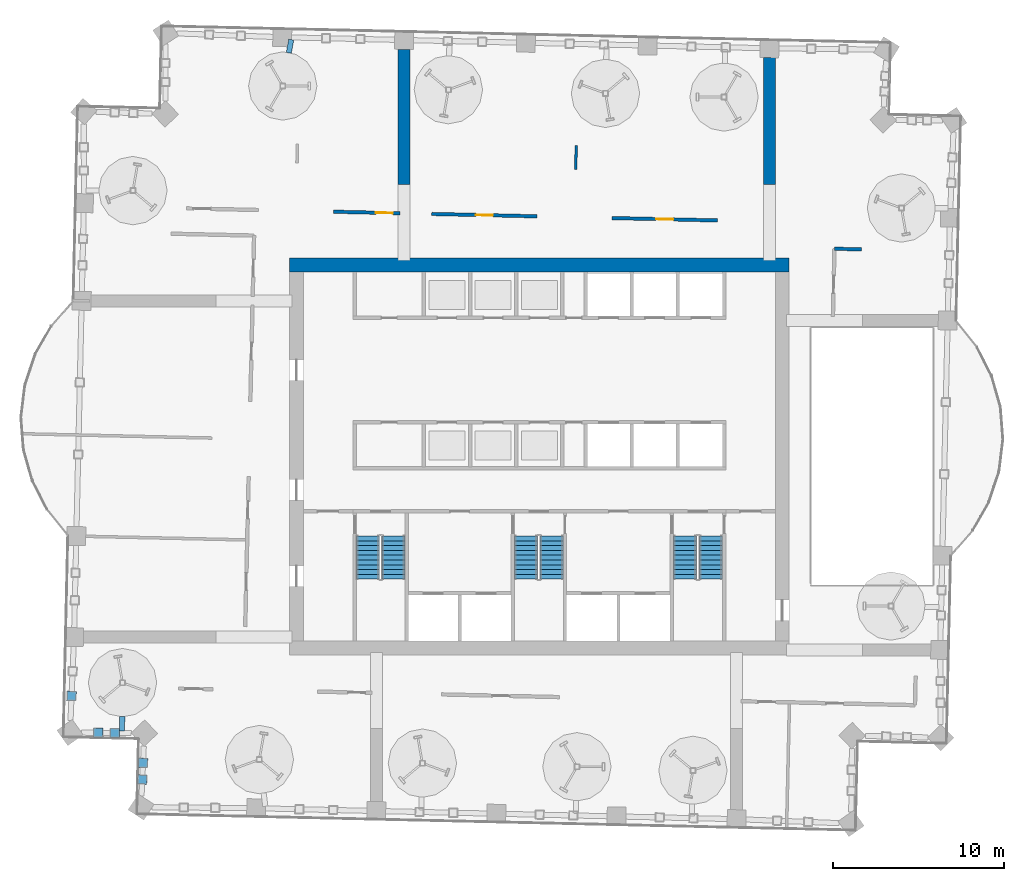
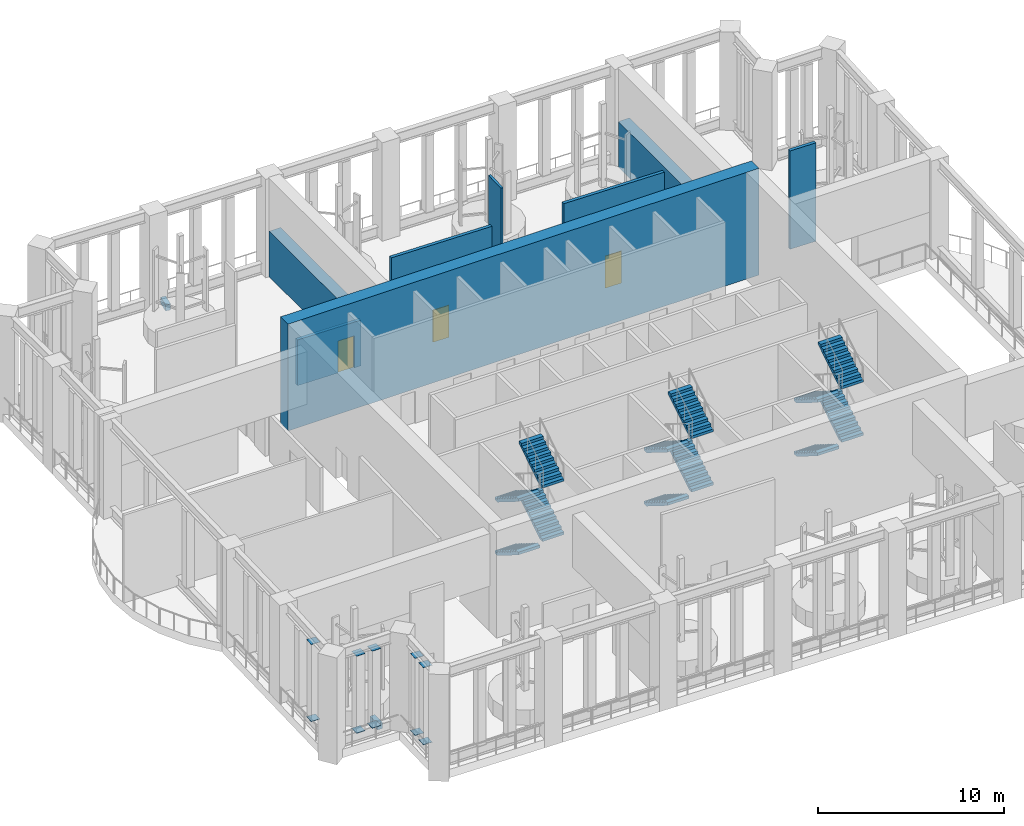
# One storey, part 10 of 33: 12 discrete accessories, 12 stair flights, 8 walls, 3 doors, 3 openings, 3 elements without a shape of their own.
"""IFC4 building model written with IfcOpenShell, lengths in metres."""

from ifc_helpers import new_model, si_unit, direction, frame, frame_2d, origin, origin_2d, place, context, subcontext, project, spatial, polyline, rectangle, outline, extrude, material, layer, layer_set, type_object, element, fill, aggregate, save


model = new_model("IFC4")

# Units and contexts
model_context = context("Model", 3, precision=1e-05, world=origin(), true_north=direction((0.0, 1.0)))
body_context = subcontext(model_context, "Body", "Model", "MODEL_VIEW")
ifc_project = project(units=[si_unit("LENGTHUNIT", "METRE"), si_unit("AREAUNIT", "SQUARE_METRE"), si_unit("VOLUMEUNIT", "CUBIC_METRE"), si_unit("PLANEANGLEUNIT", "RADIAN"), si_unit("MASSUNIT", "GRAM", prefix="KILO")], contexts=[model_context])

# Site, building, storey
site_placement = place(None, origin())
site = spatial("IfcSite", under=ifc_project, at=site_placement, CompositionType="ELEMENT")
building_placement = place(site_placement, origin())
building = spatial("IfcBuilding", under=site, at=building_placement, Name="Mangrove Gate Tower", CompositionType="ELEMENT")
storey_placement = place(building_placement, frame((0.0, 0.0, 219.5)))
storey = spatial("IfcBuildingStorey", under=building, at=storey_placement, Name="L56", CompositionType="ELEMENT", Elevation=219.5)

# Walls
ifc_material_1 = material(Name="Concrete C60/75", Category="concrete")
ifc_layer_1 = layer(ifc_material_1, 0.800048828125)
ifc_layer_set_1 = layer_set([ifc_layer_1], Name="Core wall 800 C60/75")
wall_type_1 = type_object("IfcWallType", Name="Core wall 800 C60/75", PredefinedType="SHEAR", material=ifc_layer_set_1)
wall_1_placement = place(storey_placement, frame((-14.60009765625, 11.199951171875, 0.0), z_axis=(0.0, 0.0, 1.0), x_axis=(1.0, 0.0, 0.0)))
element("IfcWall", 1, at=wall_1_placement, inside=storey, type_object=wall_type_1, Name="WALL-L56-CORE-2", PredefinedType="SHEAR", context=body_context, shape_type="SweptSolid", body=[
    extrude(rectangle(XDim=29.2001953125, YDim=0.800048828125, at=frame_2d((14.60009765625, 0.0))), origin(), (0.0, 0.0, 1.0), 7.0),
])
ifc_material_2 = material(Name="Gypsum board on steel stud, EI 60", Category="steel")
ifc_layer_2 = layer(ifc_material_2, 0.199951171875)
ifc_layer_set_2 = layer_set([ifc_layer_2], Name="Corridor wall EI 60")
wall_type_2 = type_object("IfcWallType", Name="Corridor wall EI 60", PredefinedType="PARTITIONING", material=ifc_layer_set_2)
wall_2_placement = place(storey_placement, frame((17.248046875, 12.14501953125, 0.0), z_axis=(0.0, 0.0, 1.0), x_axis=(0.99974120031, -0.022749338506, 0.0)))
element("IfcWall", 2, at=wall_2_placement, inside=storey, type_object=wall_type_2, Name="WALL-L56-015", PredefinedType="PARTITIONING", context=body_context, shape_type="SweptSolid", body=[
    extrude(rectangle(XDim=1.58837890625, YDim=0.199951171875, at=frame_2d((0.794189453125, 0.0))), origin(), (0.0, 0.0, 1.0), 6.449951171875),
])

# Wall, opening, door
wall_3_placement = place(storey_placement, frame((-12.041015625, 14.31005859375, 0.0), z_axis=(0.0, 0.0, 1.0), x_axis=(0.999742775287, -0.022680018971, 0.0)))
wall_3 = element("IfcWall", 3, at=wall_3_placement, inside=storey, type_object=wall_type_2, Name="WALL-L56-017", PredefinedType="PARTITIONING", context=body_context, shape_type="SweptSolid", body=[
    extrude(rectangle(XDim=3.885986328125, YDim=0.199951171875, at=frame_2d((1.94287109375, 0.0))), origin(), (0.0, 0.0, 1.0), 3.0),
])
opening_1_placement = place(wall_3_placement, frame((2.48193359375, 0.0, 0.0)))
opening_1 = element("IfcOpeningElement", 4, at=opening_1_placement, cuts=wall_3, Name="Opening AD", PredefinedType="OPENING", context=body_context, shape_type="SweptSolid", body=[
    extrude(rectangle(XDim=1.0, YDim=2.10009765625, at=frame_2d((0.5, 1.050048828125))), frame((0.0, 0.10986328125, 0.0), z_axis=(0.0, -1.0, 0.0), x_axis=(1.0, 0.0, 0.0)), (0.0, 0.0, 1.0), 0.219970703125),
])
ifc_material_3 = material(Name="Timber door leaf", Category="wood")
door_type = type_object("IfcDoorType", Name="Amenity door 1000", OperationType="SINGLE_SWING_LEFT", PredefinedType="DOOR", material=ifc_material_3)
door_1_placement = place(opening_1_placement, origin())
door_1 = element("IfcDoor", 5, at=door_1_placement, inside=storey, type_object=door_type, Name="DOOR-L56-LNG-c4b", OperationType="SINGLE_SWING_LEFT", OverallHeight=2.10009765625, OverallWidth=1.0, PredefinedType="DOOR", context=body_context, shape_type="SweptSolid", body=[
    extrude(rectangle(XDim=1.0, YDim=2.10009765625, at=frame_2d((0.5, 1.050048828125))), frame((0.0, 0.02490234375, 0.0), z_axis=(0.0, -1.0, 0.0), x_axis=(1.0, 0.0, 0.0)), (0.0, 0.0, 1.0), 0.050048828125),
])
fill(opening_1, door_1)

wall_4_placement = place(storey_placement, frame((-6.29296875, 14.179931640625, 0.0), z_axis=(0.0, 0.0, 1.0), x_axis=(0.999741896949, -0.022718703429, 0.0)))
wall_4 = element("IfcWall", 6, at=wall_4_placement, inside=storey, type_object=wall_type_2, Name="WALL-L56-018", PredefinedType="PARTITIONING", context=body_context, shape_type="SweptSolid", body=[
    extrude(rectangle(XDim=6.15771484375, YDim=0.199951171875, at=frame_2d((3.078857421875, 0.0))), origin(), (0.0, 0.0, 1.0), 6.449951171875),
])
opening_2_placement = place(wall_4_placement, frame((2.5791015625, 0.0, 0.0)))
opening_2 = element("IfcOpeningElement", 7, at=opening_2_placement, cuts=wall_4, Name="Opening AD", PredefinedType="OPENING", context=body_context, shape_type="SweptSolid", body=[
    extrude(rectangle(XDim=1.0, YDim=2.10009765625, at=frame_2d((0.5, 1.050048828125))), frame((0.0, 0.10986328125, 0.0), z_axis=(0.0, -1.0, 0.0), x_axis=(1.0, 0.0, 0.0)), (0.0, 0.0, 1.0), 0.219970703125),
])
door_2_placement = place(opening_2_placement, origin())
door_2 = element("IfcDoor", 8, at=door_2_placement, inside=storey, type_object=door_type, Name="DOOR-L56-LNG-c4a", OperationType="SINGLE_SWING_RIGHT", OverallHeight=2.10009765625, OverallWidth=1.0, PredefinedType="DOOR", context=body_context, shape_type="SweptSolid", body=[
    extrude(rectangle(XDim=1.0, YDim=2.10009765625, at=frame_2d((0.5, 1.050048828125))), frame((0.0, 0.02490234375, 0.0), z_axis=(0.0, -1.0, 0.0), x_axis=(1.0, 0.0, 0.0)), (0.0, 0.0, 1.0), 0.050048828125),
])
fill(opening_2, door_2)

wall_5_placement = place(storey_placement, frame((4.25390625, 13.93994140625, 0.0), z_axis=(0.0, 0.0, 1.0), x_axis=(0.999745567233, -0.022556613179, 0.0)))
wall_5 = element("IfcWall", 9, at=wall_5_placement, inside=storey, type_object=wall_type_2, Name="WALL-L56-019", PredefinedType="PARTITIONING", context=body_context, shape_type="SweptSolid", body=[
    extrude(rectangle(XDim=6.158447265625, YDim=0.199951171875, at=frame_2d((3.0791015625, 0.0))), origin(), (0.0, 0.0, 1.0), 6.449951171875),
])
opening_3_placement = place(wall_5_placement, frame((2.5791015625, 0.0, 0.0)))
opening_3 = element("IfcOpeningElement", 10, at=opening_3_placement, cuts=wall_5, Name="Opening AD", PredefinedType="OPENING", context=body_context, shape_type="SweptSolid", body=[
    extrude(rectangle(XDim=1.0, YDim=2.10009765625, at=frame_2d((0.5, 1.050048828125))), frame((0.0, 0.10986328125, 0.0), z_axis=(0.0, -1.0, 0.0), x_axis=(1.0, 0.0, 0.0)), (0.0, 0.0, 1.0), 0.219970703125),
])
door_3_placement = place(opening_3_placement, origin())
door_3 = element("IfcDoor", 11, at=door_3_placement, inside=storey, type_object=door_type, Name="DOOR-L56-LNG-c3b", OperationType="SINGLE_SWING_LEFT", OverallHeight=2.10009765625, OverallWidth=1.0, PredefinedType="DOOR", context=body_context, shape_type="SweptSolid", body=[
    extrude(rectangle(XDim=1.0, YDim=2.10009765625, at=frame_2d((0.5, 1.050048828125))), frame((0.0, 0.02490234375, 0.0), z_axis=(0.0, -1.0, 0.0), x_axis=(1.0, 0.0, 0.0)), (0.0, 0.0, 1.0), 0.050048828125),
])
fill(opening_3, door_3)

# Walls
ifc_material_4 = material(Name="Concrete C60/75", Category="concrete")
ifc_layer_3 = layer(ifc_material_4, 0.699951171875)
ifc_layer_set_3 = layer_set([ifc_layer_3], Name="Outrigger wall 700 C60/75")
wall_type_3 = type_object("IfcWallType", Name="Outrigger wall 700 C60/75", PredefinedType="SHEAR", material=ifc_layer_set_3)
wall_6_placement = place(storey_placement, frame((13.45556640625, 15.89990234375, 0.0), z_axis=(0.0, 0.0, 1.0), x_axis=(0.0, 1.0, 0.0)))
element("IfcWall", 12, at=wall_6_placement, inside=storey, type_object=wall_type_3, Name="Outrigger wall L56 OR3 pier", PredefinedType="SHEAR", context=body_context, shape_type="SweptSolid", body=[
    extrude(rectangle(XDim=7.4140625, YDim=0.699951171875, at=frame_2d((3.70703125, 0.0))), origin(), (0.0, 0.0, 1.0), 3.0),
])
wall_7_placement = place(storey_placement, frame((-7.910400390625, 15.89990234375, 0.0), z_axis=(0.0, 0.0, 1.0), x_axis=(0.0, 1.0, 0.0)))
element("IfcWall", 13, at=wall_7_placement, inside=storey, type_object=wall_type_3, Name="Outrigger wall L56 OR7 pier", PredefinedType="SHEAR", context=body_context, shape_type="SweptSolid", body=[
    extrude(rectangle(XDim=7.899169921875, YDim=0.699951171875, at=frame_2d((3.94970703125, 0.0))), origin(), (0.0, 0.0, 1.0), 3.0),
])
ifc_material_5 = material(Name="Gypsum board on steel stud, EI 60", Category="steel")
ifc_layer_4 = layer(ifc_material_5, 0.14990234375)
ifc_layer_set_4 = layer_set([ifc_layer_4], Name="Party wall 150 EI 60")
wall_type_4 = type_object("IfcWallType", Name="Party wall 150 EI 60", PredefinedType="PARTITIONING", material=ifc_layer_set_4)
wall_8_placement = place(storey_placement, frame((2.1240234375, 16.7890625, 0.0), z_axis=(0.0, 0.0, 1.0), x_axis=(0.023020791567, 0.999734986462, 0.0)))
element("IfcWall", 14, at=wall_8_placement, inside=storey, type_object=wall_type_4, Name="WALL-L56-021", PredefinedType="PARTITIONING", context=body_context, shape_type="SweptSolid", body=[
    extrude(rectangle(XDim=1.389404296875, YDim=0.14990234375, at=frame_2d((0.69482421875, 0.0))), origin(), (0.0, 0.0, 1.0), 6.449951171875),
])

# Stair, stair flights
ifc_material_6 = material(Name="Concrete C40/50", Category="concrete")
stair_type = type_object("IfcStairType", Name="Core stair 1350", PredefinedType="HALF_TURN_STAIR", material=ifc_material_6)
stair_1_placement = place(storey_placement, origin())
stair_1 = element("IfcStair", 15, at=stair_1_placement, inside=storey, type_object=stair_type, Name="L56 Stair 1", PredefinedType="HALF_TURN_STAIR")
ifc_material_7 = material(Name="Concrete C40/50", Category="concrete")
stair_flight_type = type_object("IfcStairFlightType", Name="Core stair flight 1350", PredefinedType="STRAIGHT", material=ifc_material_7)
stair_flight_1_placement = place(storey_placement, frame((-10.02490234375, -4.64990234375, 0.0), z_axis=(0.0, 0.0, 1.0), x_axis=(0.0, -1.0, 0.0)))
stair_flight_1 = element("IfcStairFlight", 16, at=stair_flight_1_placement, type_object=stair_flight_type, Name="ST1 flight 1", NumberOfRisers=10, NumberOfTreads=9, PredefinedType="STRAIGHT", RiserHeight=0.175, TreadLength=0.28, context=body_context, shape_type="SweptSolid", body=[
    extrude(outline(polyline([(0.0, 0.0), (0.0, 0.175048828125), (0.280029296875, 0.175048828125), (0.280029296875, 0.35009765625), (0.56005859375, 0.35009765625), (0.56005859375, 0.52490234375), (0.840087890625, 0.52490234375), (0.840087890625, 0.699951171875), (1.1201171875, 0.699951171875), (1.1201171875, 0.875), (1.39990234375, 0.875), (1.39990234375, 1.050048828125), (1.679931640625, 1.050048828125), (1.679931640625, 1.22509765625), (1.9599609375, 1.22509765625), (1.9599609375, 1.39990234375), (2.239990234375, 1.39990234375), (2.239990234375, 1.574951171875), (2.52001953125, 1.574951171875), (2.52001953125, 1.75), (2.52001953125, 1.398193359375), (0.28271484375, 0.0), (0.0, 0.0)])), frame((0.0, 0.675048828125, 0.0), z_axis=(0.0, -1.0, 0.0), x_axis=(1.0, 0.0, 0.0)), (0.0, 0.0, 1.0), 1.35009765625),
])
stair_flight_2_placement = place(storey_placement, frame((-8.52490234375, -7.169921875, 1.75), z_axis=(0.0, 0.0, 1.0), x_axis=(0.0, 1.0, 0.0)))
stair_flight_2 = element("IfcStairFlight", 17, at=stair_flight_2_placement, type_object=stair_flight_type, Name="ST1 flight 2", NumberOfRisers=10, NumberOfTreads=9, PredefinedType="STRAIGHT", RiserHeight=0.175, TreadLength=0.28, context=body_context, shape_type="SweptSolid", body=[
    extrude(outline(polyline([(0.0, 0.0), (0.0, 0.175048828125), (0.280029296875, 0.175048828125), (0.280029296875, 0.35009765625), (0.56005859375, 0.35009765625), (0.56005859375, 0.52490234375), (0.840087890625, 0.52490234375), (0.840087890625, 0.699951171875), (1.1201171875, 0.699951171875), (1.1201171875, 0.875), (1.39990234375, 0.875), (1.39990234375, 1.050048828125), (1.679931640625, 1.050048828125), (1.679931640625, 1.22509765625), (1.9599609375, 1.22509765625), (1.9599609375, 1.39990234375), (2.239990234375, 1.39990234375), (2.239990234375, 1.574951171875), (2.52001953125, 1.574951171875), (2.52001953125, 1.75), (2.52001953125, 1.398193359375), (0.28271484375, 0.0), (0.0, 0.0)])), frame((0.0, 0.675048828125, 0.0), z_axis=(0.0, -1.0, 0.0), x_axis=(1.0, 0.0, 0.0)), (0.0, 0.0, 1.0), 1.35009765625),
])
stair_flight_3_placement = place(storey_placement, frame((-10.02490234375, -4.64990234375, 3.5), z_axis=(0.0, 0.0, 1.0), x_axis=(0.0, -1.0, 0.0)))
stair_flight_3 = element("IfcStairFlight", 18, at=stair_flight_3_placement, type_object=stair_flight_type, Name="ST1 flight 3", NumberOfRisers=10, NumberOfTreads=9, PredefinedType="STRAIGHT", RiserHeight=0.175, TreadLength=0.28, context=body_context, shape_type="SweptSolid", body=[
    extrude(outline(polyline([(0.0, 0.0), (0.0, 0.175048828125), (0.280029296875, 0.175048828125), (0.280029296875, 0.35009765625), (0.56005859375, 0.35009765625), (0.56005859375, 0.52490234375), (0.840087890625, 0.52490234375), (0.840087890625, 0.699951171875), (1.1201171875, 0.699951171875), (1.1201171875, 0.875), (1.39990234375, 0.875), (1.39990234375, 1.050048828125), (1.679931640625, 1.050048828125), (1.679931640625, 1.22509765625), (1.9599609375, 1.22509765625), (1.9599609375, 1.39990234375), (2.239990234375, 1.39990234375), (2.239990234375, 1.574951171875), (2.52001953125, 1.574951171875), (2.52001953125, 1.75), (2.52001953125, 1.398193359375), (0.28271484375, 0.0), (0.0, 0.0)])), frame((0.0, 0.675048828125, 0.0), z_axis=(0.0, -1.0, 0.0), x_axis=(1.0, 0.0, 0.0)), (0.0, 0.0, 1.0), 1.35009765625),
])
stair_flight_4_placement = place(storey_placement, frame((-8.52490234375, -7.169921875, 5.25), z_axis=(0.0, 0.0, 1.0), x_axis=(0.0, 1.0, 0.0)))
stair_flight_4 = element("IfcStairFlight", 19, at=stair_flight_4_placement, type_object=stair_flight_type, Name="ST1 flight 4", NumberOfRisers=10, NumberOfTreads=9, PredefinedType="STRAIGHT", RiserHeight=0.175, TreadLength=0.28, context=body_context, shape_type="SweptSolid", body=[
    extrude(outline(polyline([(0.0, 0.0), (0.0, 0.175048828125), (0.280029296875, 0.175048828125), (0.280029296875, 0.35009765625), (0.56005859375, 0.35009765625), (0.56005859375, 0.52490234375), (0.840087890625, 0.52490234375), (0.840087890625, 0.699951171875), (1.1201171875, 0.699951171875), (1.1201171875, 0.875), (1.39990234375, 0.875), (1.39990234375, 1.050048828125), (1.679931640625, 1.050048828125), (1.679931640625, 1.22509765625), (1.9599609375, 1.22509765625), (1.9599609375, 1.39990234375), (2.239990234375, 1.39990234375), (2.239990234375, 1.574951171875), (2.52001953125, 1.574951171875), (2.52001953125, 1.75), (2.52001953125, 1.398193359375), (0.28271484375, 0.0), (0.0, 0.0)])), frame((0.0, 0.675048828125, 0.0), z_axis=(0.0, -1.0, 0.0), x_axis=(1.0, 0.0, 0.0)), (0.0, 0.0, 1.0), 1.35009765625),
])
aggregate(stair_1, [stair_flight_1, stair_flight_2, stair_flight_3, stair_flight_4])

stair_2_placement = place(storey_placement, origin())
stair_2 = element("IfcStair", 20, at=stair_2_placement, inside=storey, type_object=stair_type, Name="L56 Stair 2", PredefinedType="HALF_TURN_STAIR")
stair_flight_5_placement = place(storey_placement, frame((-0.77490234375, -4.64990234375, 0.0), z_axis=(0.0, 0.0, 1.0), x_axis=(0.0, -1.0, 0.0)))
stair_flight_5 = element("IfcStairFlight", 21, at=stair_flight_5_placement, type_object=stair_flight_type, Name="ST2 flight 1", NumberOfRisers=10, NumberOfTreads=9, PredefinedType="STRAIGHT", RiserHeight=0.175, TreadLength=0.28, context=body_context, shape_type="SweptSolid", body=[
    extrude(outline(polyline([(0.0, 0.0), (0.0, 0.175048828125), (0.280029296875, 0.175048828125), (0.280029296875, 0.35009765625), (0.56005859375, 0.35009765625), (0.56005859375, 0.52490234375), (0.840087890625, 0.52490234375), (0.840087890625, 0.699951171875), (1.1201171875, 0.699951171875), (1.1201171875, 0.875), (1.39990234375, 0.875), (1.39990234375, 1.050048828125), (1.679931640625, 1.050048828125), (1.679931640625, 1.22509765625), (1.9599609375, 1.22509765625), (1.9599609375, 1.39990234375), (2.239990234375, 1.39990234375), (2.239990234375, 1.574951171875), (2.52001953125, 1.574951171875), (2.52001953125, 1.75), (2.52001953125, 1.398193359375), (0.28271484375, 0.0), (0.0, 0.0)])), frame((0.0, 0.675048828125, 0.0), z_axis=(0.0, -1.0, 0.0), x_axis=(1.0, 0.0, 0.0)), (0.0, 0.0, 1.0), 1.35009765625),
])
stair_flight_6_placement = place(storey_placement, frame((0.72509765625, -7.169921875, 1.75), z_axis=(0.0, 0.0, 1.0), x_axis=(0.0, 1.0, 0.0)))
stair_flight_6 = element("IfcStairFlight", 22, at=stair_flight_6_placement, type_object=stair_flight_type, Name="ST2 flight 2", NumberOfRisers=10, NumberOfTreads=9, PredefinedType="STRAIGHT", RiserHeight=0.175, TreadLength=0.28, context=body_context, shape_type="SweptSolid", body=[
    extrude(outline(polyline([(0.0, 0.0), (0.0, 0.175048828125), (0.280029296875, 0.175048828125), (0.280029296875, 0.35009765625), (0.56005859375, 0.35009765625), (0.56005859375, 0.52490234375), (0.840087890625, 0.52490234375), (0.840087890625, 0.699951171875), (1.1201171875, 0.699951171875), (1.1201171875, 0.875), (1.39990234375, 0.875), (1.39990234375, 1.050048828125), (1.679931640625, 1.050048828125), (1.679931640625, 1.22509765625), (1.9599609375, 1.22509765625), (1.9599609375, 1.39990234375), (2.239990234375, 1.39990234375), (2.239990234375, 1.574951171875), (2.52001953125, 1.574951171875), (2.52001953125, 1.75), (2.52001953125, 1.398193359375), (0.28271484375, 0.0), (0.0, 0.0)])), frame((0.0, 0.675048828125, 0.0), z_axis=(0.0, -1.0, 0.0), x_axis=(1.0, 0.0, 0.0)), (0.0, 0.0, 1.0), 1.35009765625),
])
stair_flight_7_placement = place(storey_placement, frame((-0.77490234375, -4.64990234375, 3.5), z_axis=(0.0, 0.0, 1.0), x_axis=(0.0, -1.0, 0.0)))
stair_flight_7 = element("IfcStairFlight", 23, at=stair_flight_7_placement, type_object=stair_flight_type, Name="ST2 flight 3", NumberOfRisers=10, NumberOfTreads=9, PredefinedType="STRAIGHT", RiserHeight=0.175, TreadLength=0.28, context=body_context, shape_type="SweptSolid", body=[
    extrude(outline(polyline([(0.0, 0.0), (0.0, 0.175048828125), (0.280029296875, 0.175048828125), (0.280029296875, 0.35009765625), (0.56005859375, 0.35009765625), (0.56005859375, 0.52490234375), (0.840087890625, 0.52490234375), (0.840087890625, 0.699951171875), (1.1201171875, 0.699951171875), (1.1201171875, 0.875), (1.39990234375, 0.875), (1.39990234375, 1.050048828125), (1.679931640625, 1.050048828125), (1.679931640625, 1.22509765625), (1.9599609375, 1.22509765625), (1.9599609375, 1.39990234375), (2.239990234375, 1.39990234375), (2.239990234375, 1.574951171875), (2.52001953125, 1.574951171875), (2.52001953125, 1.75), (2.52001953125, 1.398193359375), (0.28271484375, 0.0), (0.0, 0.0)])), frame((0.0, 0.675048828125, 0.0), z_axis=(0.0, -1.0, 0.0), x_axis=(1.0, 0.0, 0.0)), (0.0, 0.0, 1.0), 1.35009765625),
])
stair_flight_8_placement = place(storey_placement, frame((0.72509765625, -7.169921875, 5.25), z_axis=(0.0, 0.0, 1.0), x_axis=(0.0, 1.0, 0.0)))
stair_flight_8 = element("IfcStairFlight", 24, at=stair_flight_8_placement, type_object=stair_flight_type, Name="ST2 flight 4", NumberOfRisers=10, NumberOfTreads=9, PredefinedType="STRAIGHT", RiserHeight=0.175, TreadLength=0.28, context=body_context, shape_type="SweptSolid", body=[
    extrude(outline(polyline([(0.0, 0.0), (0.0, 0.175048828125), (0.280029296875, 0.175048828125), (0.280029296875, 0.35009765625), (0.56005859375, 0.35009765625), (0.56005859375, 0.52490234375), (0.840087890625, 0.52490234375), (0.840087890625, 0.699951171875), (1.1201171875, 0.699951171875), (1.1201171875, 0.875), (1.39990234375, 0.875), (1.39990234375, 1.050048828125), (1.679931640625, 1.050048828125), (1.679931640625, 1.22509765625), (1.9599609375, 1.22509765625), (1.9599609375, 1.39990234375), (2.239990234375, 1.39990234375), (2.239990234375, 1.574951171875), (2.52001953125, 1.574951171875), (2.52001953125, 1.75), (2.52001953125, 1.398193359375), (0.28271484375, 0.0), (0.0, 0.0)])), frame((0.0, 0.675048828125, 0.0), z_axis=(0.0, -1.0, 0.0), x_axis=(1.0, 0.0, 0.0)), (0.0, 0.0, 1.0), 1.35009765625),
])
aggregate(stair_2, [stair_flight_5, stair_flight_6, stair_flight_7, stair_flight_8])

stair_3_placement = place(storey_placement, origin())
stair_3 = element("IfcStair", 25, at=stair_3_placement, inside=storey, type_object=stair_type, Name="L56 Stair 3", PredefinedType="HALF_TURN_STAIR")
stair_flight_9_placement = place(storey_placement, frame((8.52490234375, -4.64990234375, 0.0), z_axis=(0.0, 0.0, 1.0), x_axis=(0.0, -1.0, 0.0)))
stair_flight_9 = element("IfcStairFlight", 26, at=stair_flight_9_placement, type_object=stair_flight_type, Name="ST3 flight 1", NumberOfRisers=10, NumberOfTreads=9, PredefinedType="STRAIGHT", RiserHeight=0.175, TreadLength=0.28, context=body_context, shape_type="SweptSolid", body=[
    extrude(outline(polyline([(0.0, 0.0), (0.0, 0.175048828125), (0.280029296875, 0.175048828125), (0.280029296875, 0.35009765625), (0.56005859375, 0.35009765625), (0.56005859375, 0.52490234375), (0.840087890625, 0.52490234375), (0.840087890625, 0.699951171875), (1.1201171875, 0.699951171875), (1.1201171875, 0.875), (1.39990234375, 0.875), (1.39990234375, 1.050048828125), (1.679931640625, 1.050048828125), (1.679931640625, 1.22509765625), (1.9599609375, 1.22509765625), (1.9599609375, 1.39990234375), (2.239990234375, 1.39990234375), (2.239990234375, 1.574951171875), (2.52001953125, 1.574951171875), (2.52001953125, 1.75), (2.52001953125, 1.398193359375), (0.28271484375, 0.0), (0.0, 0.0)])), frame((0.0, 0.675048828125, 0.0), z_axis=(0.0, -1.0, 0.0), x_axis=(1.0, 0.0, 0.0)), (0.0, 0.0, 1.0), 1.35009765625),
])
stair_flight_10_placement = place(storey_placement, frame((10.02490234375, -7.169921875, 1.75), z_axis=(0.0, 0.0, 1.0), x_axis=(0.0, 1.0, 0.0)))
stair_flight_10 = element("IfcStairFlight", 27, at=stair_flight_10_placement, type_object=stair_flight_type, Name="ST3 flight 2", NumberOfRisers=10, NumberOfTreads=9, PredefinedType="STRAIGHT", RiserHeight=0.175, TreadLength=0.28, context=body_context, shape_type="SweptSolid", body=[
    extrude(outline(polyline([(0.0, 0.0), (0.0, 0.175048828125), (0.280029296875, 0.175048828125), (0.280029296875, 0.35009765625), (0.56005859375, 0.35009765625), (0.56005859375, 0.52490234375), (0.840087890625, 0.52490234375), (0.840087890625, 0.699951171875), (1.1201171875, 0.699951171875), (1.1201171875, 0.875), (1.39990234375, 0.875), (1.39990234375, 1.050048828125), (1.679931640625, 1.050048828125), (1.679931640625, 1.22509765625), (1.9599609375, 1.22509765625), (1.9599609375, 1.39990234375), (2.239990234375, 1.39990234375), (2.239990234375, 1.574951171875), (2.52001953125, 1.574951171875), (2.52001953125, 1.75), (2.52001953125, 1.398193359375), (0.28271484375, 0.0), (0.0, 0.0)])), frame((0.0, 0.675048828125, 0.0), z_axis=(0.0, -1.0, 0.0), x_axis=(1.0, 0.0, 0.0)), (0.0, 0.0, 1.0), 1.35009765625),
])
stair_flight_11_placement = place(storey_placement, frame((8.52490234375, -4.64990234375, 3.5), z_axis=(0.0, 0.0, 1.0), x_axis=(0.0, -1.0, 0.0)))
stair_flight_11 = element("IfcStairFlight", 28, at=stair_flight_11_placement, type_object=stair_flight_type, Name="ST3 flight 3", NumberOfRisers=10, NumberOfTreads=9, PredefinedType="STRAIGHT", RiserHeight=0.175, TreadLength=0.28, context=body_context, shape_type="SweptSolid", body=[
    extrude(outline(polyline([(0.0, 0.0), (0.0, 0.175048828125), (0.280029296875, 0.175048828125), (0.280029296875, 0.35009765625), (0.56005859375, 0.35009765625), (0.56005859375, 0.52490234375), (0.840087890625, 0.52490234375), (0.840087890625, 0.699951171875), (1.1201171875, 0.699951171875), (1.1201171875, 0.875), (1.39990234375, 0.875), (1.39990234375, 1.050048828125), (1.679931640625, 1.050048828125), (1.679931640625, 1.22509765625), (1.9599609375, 1.22509765625), (1.9599609375, 1.39990234375), (2.239990234375, 1.39990234375), (2.239990234375, 1.574951171875), (2.52001953125, 1.574951171875), (2.52001953125, 1.75), (2.52001953125, 1.398193359375), (0.28271484375, 0.0), (0.0, 0.0)])), frame((0.0, 0.675048828125, 0.0), z_axis=(0.0, -1.0, 0.0), x_axis=(1.0, 0.0, 0.0)), (0.0, 0.0, 1.0), 1.35009765625),
])
stair_flight_12_placement = place(storey_placement, frame((10.02490234375, -7.169921875, 5.25), z_axis=(0.0, 0.0, 1.0), x_axis=(0.0, 1.0, 0.0)))
stair_flight_12 = element("IfcStairFlight", 29, at=stair_flight_12_placement, type_object=stair_flight_type, Name="ST3 flight 4", NumberOfRisers=10, NumberOfTreads=9, PredefinedType="STRAIGHT", RiserHeight=0.175, TreadLength=0.28, context=body_context, shape_type="SweptSolid", body=[
    extrude(outline(polyline([(0.0, 0.0), (0.0, 0.175048828125), (0.280029296875, 0.175048828125), (0.280029296875, 0.35009765625), (0.56005859375, 0.35009765625), (0.56005859375, 0.52490234375), (0.840087890625, 0.52490234375), (0.840087890625, 0.699951171875), (1.1201171875, 0.699951171875), (1.1201171875, 0.875), (1.39990234375, 0.875), (1.39990234375, 1.050048828125), (1.679931640625, 1.050048828125), (1.679931640625, 1.22509765625), (1.9599609375, 1.22509765625), (1.9599609375, 1.39990234375), (2.239990234375, 1.39990234375), (2.239990234375, 1.574951171875), (2.52001953125, 1.574951171875), (2.52001953125, 1.75), (2.52001953125, 1.398193359375), (0.28271484375, 0.0), (0.0, 0.0)])), frame((0.0, 0.675048828125, 0.0), z_axis=(0.0, -1.0, 0.0), x_axis=(1.0, 0.0, 0.0)), (0.0, 0.0, 1.0), 1.35009765625),
])
aggregate(stair_3, [stair_flight_9, stair_flight_10, stair_flight_11, stair_flight_12])

# Discrete accessories
ifc_material_8 = material(Name="Steel S355J2H", Category="steel")
ifc_layer_5 = layer(ifc_material_8, 0.02001953125)
ifc_layer_set_5 = layer_set([ifc_layer_5], Name="Belt truss end plate 540x540x20")
discrete_accessory_type_1 = type_object("IfcDiscreteAccessoryType", Name="Belt truss end plate 540x540x20", PredefinedType="ANCHORPLATE", material=ifc_layer_set_5)
for number, where, z_axis, x_axis, name in (
    (30, (-27.350830078125, -13.99951171875, 0.68994140625), (0.0, 0.0, 1.0), (-0.042301101829, -0.999104907797, 0.0), "Belt truss end plate L56 01-2 bottom"),
    (31, (-27.350830078125, -13.99951171875, 5.739990234375), (0.0, 0.0, 1.0), (-0.042301101829, -0.999104907797, 0.0), "Belt truss end plate L56 01-2 top"),
    (32, (-25.79541015625, -16.154296875, 0.68994140625), (0.0, 0.0, 1.0), (0.999961312321, -0.008796241273, 0.0), "Belt truss end plate L56 02-1 bottom"),
    (33, (-25.79541015625, -16.154296875, 5.739990234375), (0.0, 0.0, 1.0), (0.999961312321, -0.008796241273, 0.0), "Belt truss end plate L56 02-1 top"),
    (34, (-24.827880859375, -16.162841796875, 0.68994140625), (0.0, 0.0, 1.0), (0.999961312321, -0.008796241273, 0.0), "Belt truss end plate L56 02-2 bottom"),
    (35, (-24.827880859375, -16.162841796875, 5.739990234375), (0.0, 0.0, 1.0), (0.999961312321, -0.008796241273, 0.0), "Belt truss end plate L56 02-2 top"),
    (36, (-23.171630859375, -17.91162109375, 0.68994140625), (0.0, 0.0, 1.0), (-0.045143598335, -0.998980508083, 0.0), "Belt truss end plate L56 03-1 bottom"),
    (37, (-23.171630859375, -17.91162109375, 5.739990234375), (0.0, 0.0, 1.0), (-0.045143598335, -0.998980508083, 0.0), "Belt truss end plate L56 03-1 top"),
    (38, (-23.215576171875, -18.884765625, 0.68994140625), (0.0, 0.0, 1.0), (-0.045143598335, -0.998980508083, 0.0), "Belt truss end plate L56 03-2 bottom"),
    (39, (-23.215576171875, -18.884765625, 5.739990234375), (0.0, 0.0, 1.0), (-0.045143598335, -0.998980508083, 0.0), "Belt truss end plate L56 03-2 top"),
):
    element("IfcDiscreteAccessory", number, at=place(storey_placement, frame(where, z_axis=z_axis, x_axis=x_axis)), inside=storey, type_object=discrete_accessory_type_1, Name=name, PredefinedType="ANCHORPLATE", context=body_context, shape_type="SweptSolid", body=[
        extrude(rectangle(XDim=0.5400390625, YDim=0.5400390625, at=origin_2d()), origin(), (0.0, 0.0, 1.0), 0.02001953125),
    ])
ifc_material_9 = material(Name="Steel S355J2", Category="steel")
ifc_layer_6 = layer(ifc_material_9, 0.39990234375)
ifc_layer_set_6 = layer_set([ifc_layer_6], Name="Turbine bracket")
discrete_accessory_type_2 = type_object("IfcDiscreteAccessoryType", Name="Turbine bracket", PredefinedType="BRACKET", material=ifc_layer_set_6)
discrete_accessory_1_placement = place(storey_placement, frame((-14.576904296875, 23.983154296875, 0.150146484375), z_axis=(0.0, 0.0, 1.0), x_axis=(-0.180314670448, -0.983608976993, 0.0)))
element("IfcDiscreteAccessory", 40, at=discrete_accessory_1_placement, inside=storey, type_object=discrete_accessory_type_2, Name="Turbine bracket GEN-L56-N1", PredefinedType="BRACKET", context=body_context, shape_type="SweptSolid", body=[
    extrude(rectangle(XDim=0.7861328125, YDim=0.300048828125, at=origin_2d()), origin(), (0.0, 0.0, 1.0), 0.39990234375),
])
discrete_accessory_2_placement = place(storey_placement, frame((-24.39111328125, -15.615234375, 0.150146484375), z_axis=(0.0, 0.0, 1.0), x_axis=(0.0087960842, 0.999961313703, 0.0)))
element("IfcDiscreteAccessory", 41, at=discrete_accessory_2_placement, inside=storey, type_object=discrete_accessory_type_2, Name="Turbine bracket GEN-L56-W12", PredefinedType="BRACKET", context=body_context, shape_type="SweptSolid", body=[
    extrude(rectangle(XDim=0.8427734375, YDim=0.300048828125, at=origin_2d()), origin(), (0.0, 0.0, 1.0), 0.39990234375),
])

save(model, "model.ifc")
